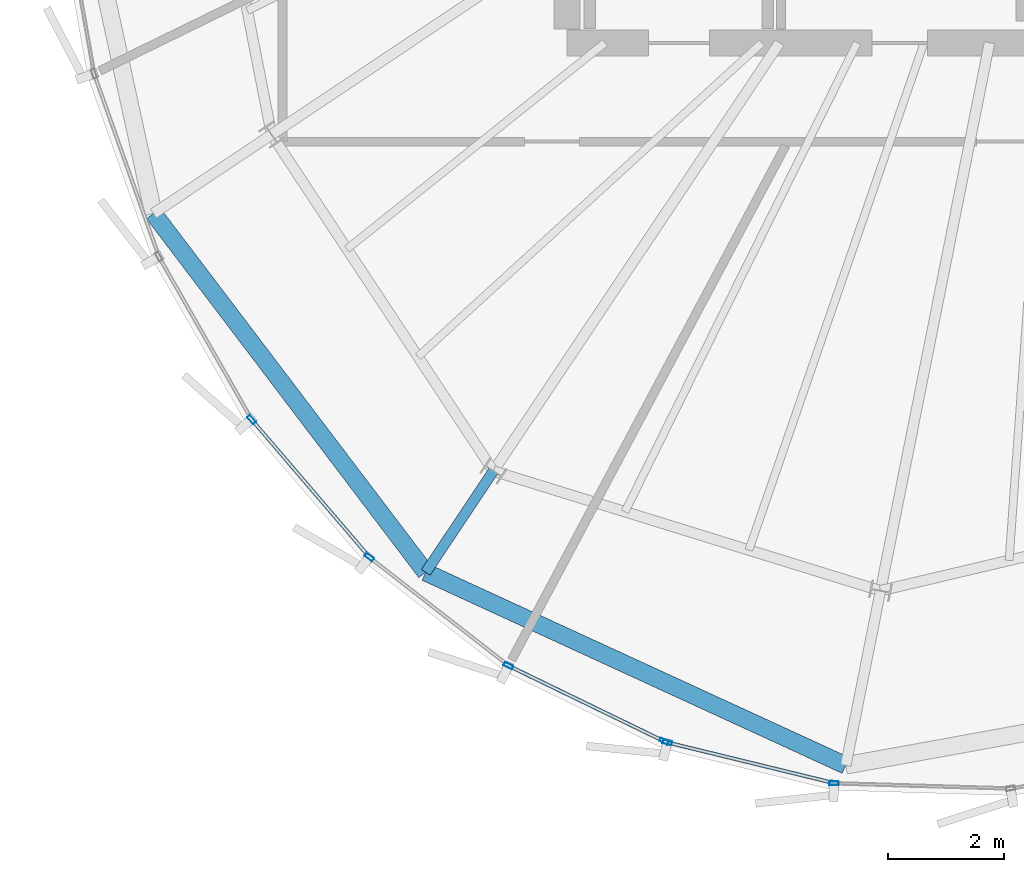
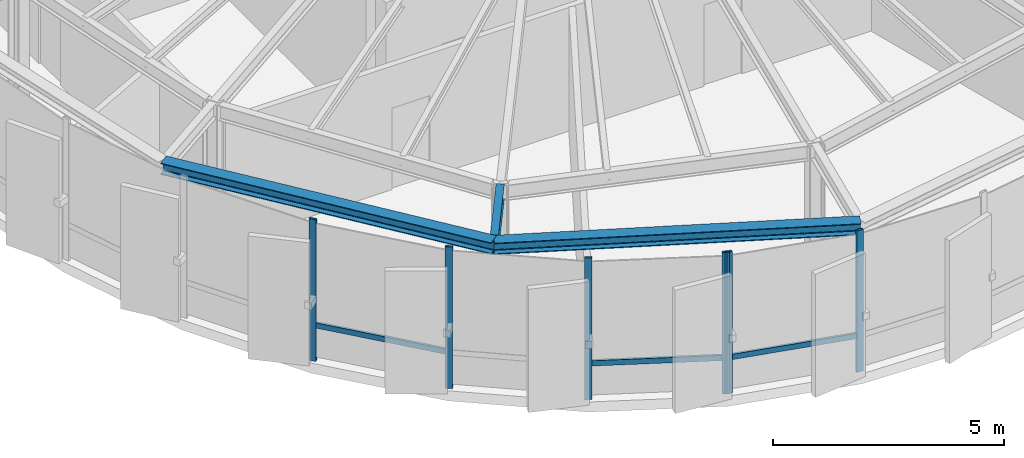
# One storey, part 2 of 26: 9 members, 3 beams, 2 elements without a shape of their own.
"""IFC4 building model written with IfcOpenShell, lengths in metres."""

from ifc_helpers import new_model, si_unit, direction, frame, origin, origin_2d, place, context, subcontext, project, spatial, hollow_rectangle, i_section, extrude, source, transform, mapped, material, layer, layer_set, material_profile, profile_set, type_object, element, aggregate, save


model = new_model("IFC4")

# Units and contexts
model_context = context("Model", 3, precision=1e-05, world=origin(), true_north=direction((0.0, 1.0)))
body_context = subcontext(model_context, "Body", "Model", "MODEL_VIEW")
ifc_project = project(units=[si_unit("LENGTHUNIT", "METRE"), si_unit("AREAUNIT", "SQUARE_METRE"), si_unit("VOLUMEUNIT", "CUBIC_METRE"), si_unit("PLANEANGLEUNIT", "RADIAN"), si_unit("MASSUNIT", "GRAM", prefix="KILO"), si_unit("THERMODYNAMICTEMPERATUREUNIT", "KELVIN")], contexts=[model_context])

# Site, building, storey
site_placement = place(None, origin())
site = spatial("IfcSite", under=ifc_project, at=site_placement, CompositionType="ELEMENT")
building_placement = place(site_placement, origin())
building = spatial("IfcBuilding", under=site, at=building_placement, Name="Kethvar Cultural Tower", CompositionType="ELEMENT")
storey_placement = place(building_placement, frame((0.0, 0.0, 316.300048828125)))
storey = spatial("IfcBuildingStorey", under=building, at=storey_placement, Name="L84", CompositionType="ELEMENT", Elevation=316.300048828125)

# Beams
ifc_material_1 = material(Name="Steel S355J2", Category="steel")
ifc_material_profile_1 = material_profile(ifc_material_1, i_section(OverallWidth=0.179931640625, OverallDepth=0.39990234375, WebThickness=0.008544921875, FlangeThickness=0.013427734375, FilletRadius=0.02099609375, at=origin_2d()), Name="Steel S355J2 — IPE400")
ifc_profile_set_1 = profile_set([ifc_material_profile_1], Name="Steel S355J2 — IPE400")
beam_type_1 = type_object("IfcBeamType", Name="BM-IPE400", PredefinedType="BEAM", material=ifc_profile_set_1)
shared_shape_1 = source(origin(), body_context, "Body", "SweptSolid", [
    extrude(i_section(OverallWidth=0.179931640625, OverallDepth=0.39990234375, WebThickness=0.008544921875, FlangeThickness=0.013427734375, FilletRadius=0.02099609375, at=origin_2d()), origin(), (0.0, 0.0, 1.0), 2.096923828125),
])
beam_1_placement = place(storey_placement, frame((36.731201171875, 12.73095703125, 3.532958984375), z_axis=(-0.555613405108, -0.831440764014, 0.0), x_axis=(0.831440764014, -0.555613405108, 0.0)))
element("IfcBeam", 1, at=beam_1_placement, inside=storey, type_object=beam_type_1, Name="L84 Perimeter Cantilever Beam RC-11", PredefinedType="BEAM", context=body_context, shape_type="MappedRepresentation", body=[
    mapped(shared_shape_1, transform((0.0, 0.0, 0.0), scale=1.0)),
])
ifc_material_profile_2 = material_profile(ifc_material_1, i_section(OverallWidth=0.300048828125, OverallDepth=0.300048828125, WebThickness=0.010986328125, FlangeThickness=0.01904296875, FilletRadius=0.027099609375, at=origin_2d()), Name="Steel S355J2 — HEB300")
ifc_profile_set_2 = profile_set([ifc_material_profile_2], Name="Steel S355J2 — HEB300")
beam_type_2 = type_object("IfcBeamType", Name="BM-SP300", PredefinedType="SPANDREL", material=ifc_profile_set_2)
shared_shape_2 = source(origin(), body_context, "Body", "SweptSolid", [
    extrude(i_section(OverallWidth=0.300048828125, OverallDepth=0.300048828125, WebThickness=0.010986328125, FlangeThickness=0.01904296875, FilletRadius=0.027099609375, at=origin_2d()), origin(), (0.0, 0.0, 1.0), 7.751953125),
])
beam_2_placement = place(storey_placement, frame((30.880615234375, 17.1630859375, 3.5830078125), z_axis=(0.604440246262, -0.796650480888, 0.0), x_axis=(0.796650480888, 0.604440246262, 0.0)))
element("IfcBeam", 2, at=beam_2_placement, inside=storey, type_object=beam_type_2, Name="L84 Perimeter Spandrel Beam SP-10", PredefinedType="SPANDREL", context=body_context, shape_type="MappedRepresentation", body=[
    mapped(shared_shape_2, transform((0.0, 0.0, 0.0), scale=1.0)),
])
shared_shape_3 = source(origin(), body_context, "Body", "SweptSolid", [
    extrude(i_section(OverallWidth=0.300048828125, OverallDepth=0.300048828125, WebThickness=0.010986328125, FlangeThickness=0.01904296875, FilletRadius=0.027099609375, at=origin_2d()), origin(), (0.0, 0.0, 1.0), 7.955810546875),
])
beam_3_placement = place(storey_placement, frame((35.566162109375, 10.987548828125, 3.5830078125), z_axis=(0.908620199214, -0.417623435142, 0.0), x_axis=(0.417623435142, 0.908620199214, 0.0)))
element("IfcBeam", 3, at=beam_3_placement, inside=storey, type_object=beam_type_2, Name="L84 Perimeter Spandrel Beam SP-11", PredefinedType="SPANDREL", context=body_context, shape_type="MappedRepresentation", body=[
    mapped(shared_shape_3, transform((0.0, 0.0, 0.0), scale=1.0)),
])

# Curtain wall, members
ifc_material_2 = material(Name="Aluminium 6063-T6", Category="aluminium")
ifc_layer = layer(ifc_material_2, 0.179931640625, Name="Aluminium 6063-T6", Category="aluminium")
ifc_layer_set = layer_set([ifc_layer], Name="Aluminium 6063-T6 (180 mm)")
curtain_wall_type = type_object("IfcCurtainWallType", Name="CW-SYS-06-CROWN", PredefinedType="NOTDEFINED", material=ifc_layer_set)
curtain_wall_1_placement = place(storey_placement, origin())
curtain_wall_1 = element("IfcCurtainWall", 4, at=curtain_wall_1_placement, inside=storey, type_object=curtain_wall_type, Name="L84 Curtain Wall Run 03", PredefinedType="NOTDEFINED")
ifc_material_profile_3 = material_profile(ifc_material_2, hollow_rectangle(XDim=0.06494140625, YDim=0.159912109375, WallThickness=0.0048828125, at=origin_2d()), Name="Aluminium 6063-T6 — RHS160x65x5")
ifc_profile_set_3 = profile_set([ifc_material_profile_3], Name="Aluminium 6063-T6 — RHS160x65x5")
member_type_1 = type_object("IfcMemberType", Name="CW-SYS-06-CROWN-MUL", PredefinedType="MULLION", material=ifc_profile_set_3)
shared_shape_4 = source(origin(), body_context, "Body", "SweptSolid", [
    extrude(hollow_rectangle(XDim=0.06494140625, YDim=0.159912109375, WallThickness=0.0048828125, at=origin_2d()), origin(), (0.0, 0.0, 1.0), 3.73486328125),
])
member_1_placement = place(storey_placement, frame((32.568359375, 13.619140625, 0.0), z_axis=(0.0, 0.0, 1.0), x_axis=(0.75964600042, 0.65033680047, 0.0)))
member_1 = element("IfcMember", 5, at=member_1_placement, type_object=member_type_1, Name="CW-L84-R03 Mullion 4", PredefinedType="MULLION", context=body_context, shape_type="MappedRepresentation", body=[
    mapped(shared_shape_4, transform((0.0, 0.0, 0.0), scale=1.0)),
])
member_2_placement = place(storey_placement, frame((34.5947265625, 11.248291015625, 0.0), z_axis=(0.0, 0.0, 1.0), x_axis=(0.614285200099, 0.789084084835, 0.0)))
member_2 = element("IfcMember", 6, at=member_2_placement, type_object=member_type_1, Name="CW-L84-R03 Mullion 5", PredefinedType="MULLION", context=body_context, shape_type="MappedRepresentation", body=[
    mapped(shared_shape_4, transform((0.0, 0.0, 0.0), scale=1.0)),
])
member_3_placement = place(storey_placement, frame((36.990478515625, 9.380126953125, 0.0), z_axis=(0.0, 0.0, 1.0), x_axis=(0.43667618215, 0.899618759221, 0.0)))
member_3 = element("IfcMember", 7, at=member_3_placement, type_object=member_type_1, Name="CW-L84-R03 Mullion 6", PredefinedType="MULLION", context=body_context, shape_type="MappedRepresentation", body=[
    mapped(shared_shape_4, transform((0.0, 0.0, 0.0), scale=1.0)),
])
member_4_placement = place(storey_placement, frame((39.669189453125, 8.079833984375, 0.0), z_axis=(0.0, 0.0, 1.0), x_axis=(0.43667618215, 0.899618759221, 0.0)))
member_4 = element("IfcMember", 8, at=member_4_placement, type_object=member_type_1, Name="CW-L84-R03 Mullion 7", PredefinedType="MULLION", context=body_context, shape_type="MappedRepresentation", body=[
    mapped(shared_shape_4, transform((0.0, 0.0, 0.0), scale=1.0)),
])

curtain_wall_2_placement = place(storey_placement, origin())
curtain_wall_2 = element("IfcCurtainWall", 9, at=curtain_wall_2_placement, inside=storey, type_object=curtain_wall_type, Name="L84 Curtain Wall Run 04", PredefinedType="NOTDEFINED")
member_5_placement = place(storey_placement, frame((39.724365234375, 8.06005859375, 0.0), z_axis=(0.0, 0.0, 1.0), x_axis=(0.236973797604, 0.971516041684, 0.0)))
member_5 = element("IfcMember", 10, at=member_5_placement, type_object=member_type_1, Name="CW-L84-R04 Mullion 1", PredefinedType="MULLION", context=body_context, shape_type="MappedRepresentation", body=[
    mapped(shared_shape_4, transform((0.0, 0.0, 0.0), scale=1.0)),
])
member_6_placement = place(storey_placement, frame((42.59228515625, 7.357666015625, 0.0), z_axis=(0.0, 0.0, 1.0), x_axis=(0.02964879847, 0.999560377741, 0.0)))
member_6 = element("IfcMember", 11, at=member_6_placement, type_object=member_type_1, Name="CW-L84-R04 Mullion 2", PredefinedType="MULLION", context=body_context, shape_type="MappedRepresentation", body=[
    mapped(shared_shape_4, transform((0.0, 0.0, 0.0), scale=1.0)),
])

# Member
ifc_material_profile_4 = material_profile(ifc_material_2, hollow_rectangle(XDim=0.06005859375, YDim=0.139892578125, WallThickness=0.0048828125, at=origin_2d()), Name="Aluminium 6063-T6 — RHS140x60x5")
ifc_profile_set_4 = profile_set([ifc_material_profile_4], Name="Aluminium 6063-T6 — RHS140x60x5")
member_type_2 = type_object("IfcMemberType", Name="CW-SYS-06-CROWN-TRN", PredefinedType="USERDEFINED", material=ifc_profile_set_4)
shared_shape_5 = source(origin(), body_context, "Body", "SweptSolid", [
    extrude(hollow_rectangle(XDim=0.06005859375, YDim=0.139892578125, WallThickness=0.0048828125, at=origin_2d()), origin(), (0.0, 0.0, 1.0), 3.049072265625),
])
member_7_placement = place(storey_placement, frame((32.598876953125, 13.58349609375, 0.949951171875), z_axis=(0.650342858091, -0.759640814418, 0.0), x_axis=(0.759640814418, 0.650342858091, 0.0)))
member_7 = element("IfcMember", 12, at=member_7_placement, type_object=member_type_2, Name="CW-L84-R03 Transom 4", ObjectType="TRANSOM", PredefinedType="USERDEFINED", context=body_context, shape_type="MappedRepresentation", body=[
    mapped(shared_shape_5, transform((0.0, 0.0, 0.0), scale=1.0)),
])

shared_shape_6 = source(origin(), body_context, "Body", "SweptSolid", [
    extrude(hollow_rectangle(XDim=0.06005859375, YDim=0.139892578125, WallThickness=0.0048828125, at=origin_2d()), origin(), (0.0, 0.0, 1.0), 2.926025390625),
])
member_8_placement = place(storey_placement, frame((37.03271484375, 9.359619140625, 0.949951171875), z_axis=(0.899605569908, -0.436703353079, 0.0), x_axis=(0.436703353079, 0.899605569908, 0.0)))
member_8 = element("IfcMember", 13, at=member_8_placement, type_object=member_type_2, Name="CW-L84-R03 Transom 6", ObjectType="TRANSOM", PredefinedType="USERDEFINED", context=body_context, shape_type="MappedRepresentation", body=[
    mapped(shared_shape_6, transform((0.0, 0.0, 0.0), scale=1.0)),
])

aggregate(curtain_wall_1, [member_1, member_2, member_3, member_4, member_7, member_8])

member_9_placement = place(storey_placement, frame((39.728759765625, 8.058837890625, 0.949951171875), z_axis=(0.971520338783, -0.236956180191, 0.0), x_axis=(0.236956180191, 0.971520338783, 0.0)))
member_9 = element("IfcMember", 14, at=member_9_placement, type_object=member_type_2, Name="CW-L84-R04 Transom 1", ObjectType="TRANSOM", PredefinedType="USERDEFINED", context=body_context, shape_type="MappedRepresentation", body=[
    mapped(shared_shape_6, transform((0.0, 0.0, 0.0), scale=1.0)),
])

aggregate(curtain_wall_2, [member_5, member_6, member_9])

save(model, "model.ifc")
